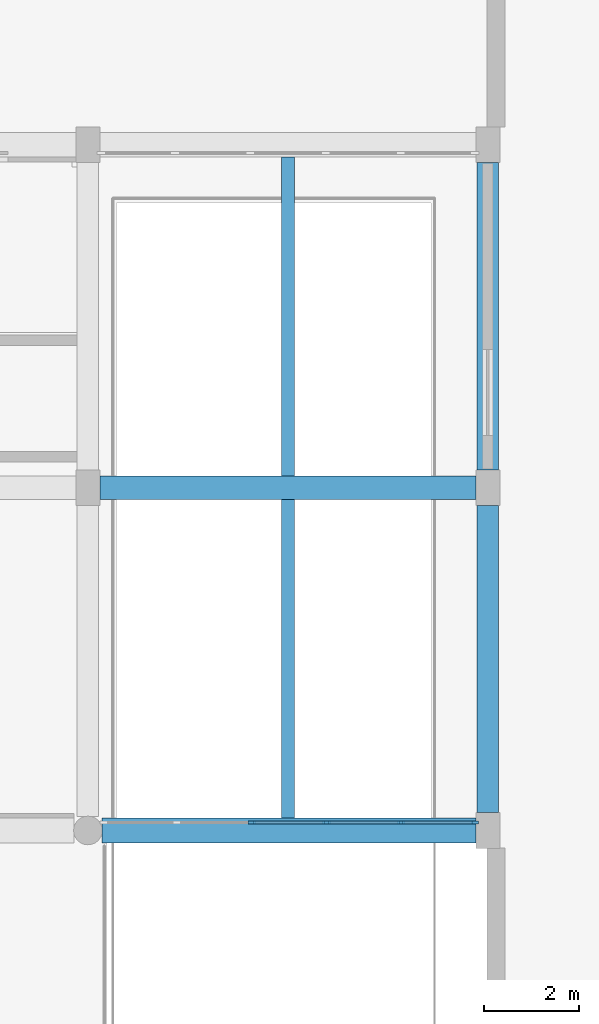
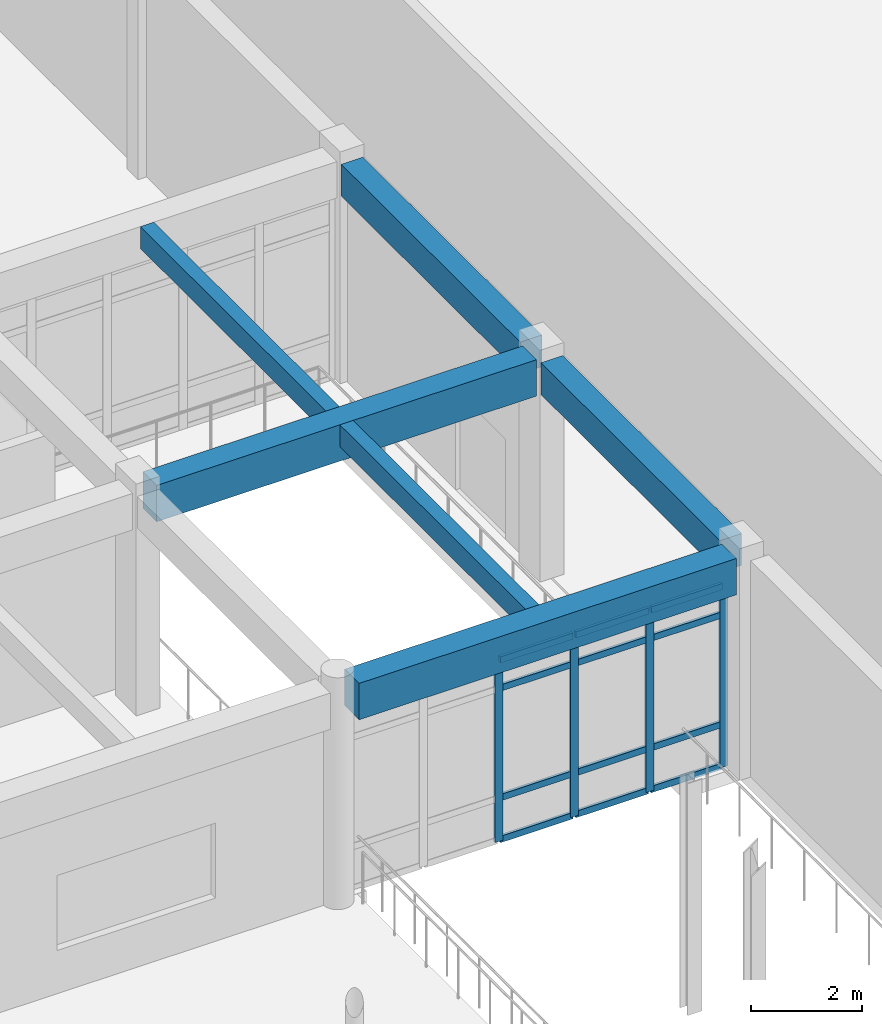
# One storey, part 60 of 121: 16 members, 6 beams, 1 element without a shape of its own.
"""IFC4 building model written with IfcOpenShell, lengths in metres."""

from ifc_helpers import new_model, si_unit, direction, frame, origin, origin_2d, place, context, subcontext, project, spatial, rectangle, extrude, material, material_profile, profile_set, type_object, element, aggregate, save


model = new_model("IFC4")

# Units and contexts
model_context = context("Model", 3, precision=1e-05, world=origin(), true_north=direction((0.0, 1.0)))
body_context = subcontext(model_context, "Body", "Model", "MODEL_VIEW")
ifc_project = project(units=[si_unit("LENGTHUNIT", "METRE"), si_unit("AREAUNIT", "SQUARE_METRE"), si_unit("VOLUMEUNIT", "CUBIC_METRE"), si_unit("PLANEANGLEUNIT", "RADIAN"), si_unit("MASSUNIT", "GRAM", prefix="KILO")], contexts=[model_context])

# Site, building, storey
site_placement = place(None, origin())
site = spatial("IfcSite", under=ifc_project, at=site_placement, CompositionType="ELEMENT")
building_placement = place(site_placement, origin())
building = spatial("IfcBuilding", under=site, at=building_placement, Name="Malvenik Polytechnic", CompositionType="ELEMENT")
storey_placement = place(building_placement, origin())
storey = spatial("IfcBuildingStorey", under=building, at=storey_placement, Name="L00", CompositionType="ELEMENT", Elevation=0.0)

# Curtain wall, members
ifc_material_1 = material(Name="Anodised aluminium 6060-T6", Category="aluminium")
curtain_wall_type = type_object("IfcCurtainWallType", Name="ARC-CW-CW-01", PredefinedType="NOTDEFINED", material=ifc_material_1)
curtain_wall_placement = place(storey_placement, origin())
curtain_wall = element("IfcCurtainWall", 1, at=curtain_wall_placement, inside=storey, type_object=curtain_wall_type, Name="Unitised Curtain Wall CW-01 L00 #14", PredefinedType="NOTDEFINED")
ifc_material_2 = material(Name="Anodised aluminium", Category="aluminium")
ifc_material_profile_1 = material_profile(ifc_material_2, rectangle(XDim=0.06005859375, YDim=0.159912109375, at=origin_2d()), Name="ALU MULLION 60x160")
ifc_profile_set_1 = profile_set([ifc_material_profile_1], Name="Anodised aluminium")
member_type_1 = type_object("IfcMemberType", Name="ARC-CWM-160", PredefinedType="MULLION", material=ifc_profile_set_1)
member_1_placement = place(storey_placement, frame((134.1220703125, 50.570068359375, 0.0), z_axis=(0.0, 0.0, 1.0), x_axis=(0.0, -1.0, 0.0)))
member_1 = element("IfcMember", 2, at=member_1_placement, type_object=member_type_1, Name="CW-01 mullion 1", PredefinedType="MULLION", context=body_context, shape_type="SweptSolid", body=[
    extrude(rectangle(XDim=0.06005859375, YDim=0.159912109375, at=origin_2d()), origin(), (0.0, 0.0, 1.0), 4.010009765625),
])
member_2_placement = place(storey_placement, frame((132.581298828125, 50.570068359375, 0.0), z_axis=(0.0, 0.0, 1.0), x_axis=(0.0, -1.0, 0.0)))
member_2 = element("IfcMember", 3, at=member_2_placement, type_object=member_type_1, Name="CW-01 mullion 2", PredefinedType="MULLION", context=body_context, shape_type="SweptSolid", body=[
    extrude(rectangle(XDim=0.06005859375, YDim=0.159912109375, at=origin_2d()), origin(), (0.0, 0.0, 1.0), 4.010009765625),
])
member_3_placement = place(storey_placement, frame((131.010498046875, 50.570068359375, 0.0), z_axis=(0.0, 0.0, 1.0), x_axis=(0.0, -1.0, 0.0)))
member_3 = element("IfcMember", 4, at=member_3_placement, type_object=member_type_1, Name="CW-01 mullion 3", PredefinedType="MULLION", context=body_context, shape_type="SweptSolid", body=[
    extrude(rectangle(XDim=0.06005859375, YDim=0.159912109375, at=origin_2d()), origin(), (0.0, 0.0, 1.0), 4.010009765625),
])
member_4_placement = place(storey_placement, frame((129.439697265625, 50.570068359375, 0.0), z_axis=(0.0, 0.0, 1.0), x_axis=(0.0, -1.0, 0.0)))
member_4 = element("IfcMember", 5, at=member_4_placement, type_object=member_type_1, Name="CW-01 mullion 4", PredefinedType="MULLION", context=body_context, shape_type="SweptSolid", body=[
    extrude(rectangle(XDim=0.06005859375, YDim=0.159912109375, at=origin_2d()), origin(), (0.0, 0.0, 1.0), 4.010009765625),
])
ifc_material_profile_2 = material_profile(ifc_material_2, rectangle(XDim=0.06005859375, YDim=0.139892578125, at=origin_2d()), Name="ALU TRANSOM 60x140")
ifc_profile_set_2 = profile_set([ifc_material_profile_2], Name="Anodised aluminium")
member_type_2 = type_object("IfcMemberType", Name="ARC-CWT-140", PredefinedType="USERDEFINED", material=ifc_profile_set_2)
member_5_placement = place(storey_placement, frame((134.092041015625, 50.570068359375, 0.030029296875), z_axis=(-1.0, 0.0, 0.0), x_axis=(0.0, -1.0, 0.0)))
member_5 = element("IfcMember", 6, at=member_5_placement, type_object=member_type_2, Name="CW-01 transom 1.1", ObjectType="TRANSOM", PredefinedType="USERDEFINED", context=body_context, shape_type="SweptSolid", body=[
    extrude(rectangle(XDim=0.06005859375, YDim=0.139892578125, at=origin_2d()), origin(), (0.0, 0.0, 1.0), 1.48095703125),
])
member_6_placement = place(storey_placement, frame((134.092041015625, 50.570068359375, 0.949951171875), z_axis=(-1.0, 0.0, 0.0), x_axis=(0.0, -1.0, 0.0)))
member_6 = element("IfcMember", 7, at=member_6_placement, type_object=member_type_2, Name="CW-01 transom 1.2", ObjectType="TRANSOM", PredefinedType="USERDEFINED", context=body_context, shape_type="SweptSolid", body=[
    extrude(rectangle(XDim=0.06005859375, YDim=0.139892578125, at=origin_2d()), origin(), (0.0, 0.0, 1.0), 1.48095703125),
])
member_7_placement = place(storey_placement, frame((134.092041015625, 50.570068359375, 3.360107421875), z_axis=(-1.0, 0.0, 0.0), x_axis=(0.0, -1.0, 0.0)))
member_7 = element("IfcMember", 8, at=member_7_placement, type_object=member_type_2, Name="CW-01 transom 1.3", ObjectType="TRANSOM", PredefinedType="USERDEFINED", context=body_context, shape_type="SweptSolid", body=[
    extrude(rectangle(XDim=0.06005859375, YDim=0.139892578125, at=origin_2d()), origin(), (0.0, 0.0, 1.0), 1.48095703125),
])
member_8_placement = place(storey_placement, frame((134.092041015625, 50.570068359375, 3.97998046875), z_axis=(-1.0, 0.0, 0.0), x_axis=(0.0, -1.0, 0.0)))
member_8 = element("IfcMember", 9, at=member_8_placement, type_object=member_type_2, Name="CW-01 transom 1.4", ObjectType="TRANSOM", PredefinedType="USERDEFINED", context=body_context, shape_type="SweptSolid", body=[
    extrude(rectangle(XDim=0.06005859375, YDim=0.139892578125, at=origin_2d()), origin(), (0.0, 0.0, 1.0), 1.48095703125),
])
member_9_placement = place(storey_placement, frame((132.55126953125, 50.570068359375, 0.030029296875), z_axis=(-1.0, 0.0, 0.0), x_axis=(0.0, -1.0, 0.0)))
member_9 = element("IfcMember", 10, at=member_9_placement, type_object=member_type_2, Name="CW-01 transom 2.1", ObjectType="TRANSOM", PredefinedType="USERDEFINED", context=body_context, shape_type="SweptSolid", body=[
    extrude(rectangle(XDim=0.06005859375, YDim=0.139892578125, at=origin_2d()), origin(), (0.0, 0.0, 1.0), 1.510986328125),
])
member_10_placement = place(storey_placement, frame((132.55126953125, 50.570068359375, 0.949951171875), z_axis=(-1.0, 0.0, 0.0), x_axis=(0.0, -1.0, 0.0)))
member_10 = element("IfcMember", 11, at=member_10_placement, type_object=member_type_2, Name="CW-01 transom 2.2", ObjectType="TRANSOM", PredefinedType="USERDEFINED", context=body_context, shape_type="SweptSolid", body=[
    extrude(rectangle(XDim=0.06005859375, YDim=0.139892578125, at=origin_2d()), origin(), (0.0, 0.0, 1.0), 1.510986328125),
])
member_11_placement = place(storey_placement, frame((132.55126953125, 50.570068359375, 3.360107421875), z_axis=(-1.0, 0.0, 0.0), x_axis=(0.0, -1.0, 0.0)))
member_11 = element("IfcMember", 12, at=member_11_placement, type_object=member_type_2, Name="CW-01 transom 2.3", ObjectType="TRANSOM", PredefinedType="USERDEFINED", context=body_context, shape_type="SweptSolid", body=[
    extrude(rectangle(XDim=0.06005859375, YDim=0.139892578125, at=origin_2d()), origin(), (0.0, 0.0, 1.0), 1.510986328125),
])
member_12_placement = place(storey_placement, frame((132.55126953125, 50.570068359375, 3.97998046875), z_axis=(-1.0, 0.0, 0.0), x_axis=(0.0, -1.0, 0.0)))
member_12 = element("IfcMember", 13, at=member_12_placement, type_object=member_type_2, Name="CW-01 transom 2.4", ObjectType="TRANSOM", PredefinedType="USERDEFINED", context=body_context, shape_type="SweptSolid", body=[
    extrude(rectangle(XDim=0.06005859375, YDim=0.139892578125, at=origin_2d()), origin(), (0.0, 0.0, 1.0), 1.510986328125),
])
member_13_placement = place(storey_placement, frame((130.98046875, 50.570068359375, 0.030029296875), z_axis=(-1.0, 0.0, 0.0), x_axis=(0.0, -1.0, 0.0)))
member_13 = element("IfcMember", 14, at=member_13_placement, type_object=member_type_2, Name="CW-01 transom 3.1", ObjectType="TRANSOM", PredefinedType="USERDEFINED", context=body_context, shape_type="SweptSolid", body=[
    extrude(rectangle(XDim=0.06005859375, YDim=0.139892578125, at=origin_2d()), origin(), (0.0, 0.0, 1.0), 1.510986328125),
])
member_14_placement = place(storey_placement, frame((130.98046875, 50.570068359375, 0.949951171875), z_axis=(-1.0, 0.0, 0.0), x_axis=(0.0, -1.0, 0.0)))
member_14 = element("IfcMember", 15, at=member_14_placement, type_object=member_type_2, Name="CW-01 transom 3.2", ObjectType="TRANSOM", PredefinedType="USERDEFINED", context=body_context, shape_type="SweptSolid", body=[
    extrude(rectangle(XDim=0.06005859375, YDim=0.139892578125, at=origin_2d()), origin(), (0.0, 0.0, 1.0), 1.510986328125),
])
member_15_placement = place(storey_placement, frame((130.98046875, 50.570068359375, 3.360107421875), z_axis=(-1.0, 0.0, 0.0), x_axis=(0.0, -1.0, 0.0)))
member_15 = element("IfcMember", 16, at=member_15_placement, type_object=member_type_2, Name="CW-01 transom 3.3", ObjectType="TRANSOM", PredefinedType="USERDEFINED", context=body_context, shape_type="SweptSolid", body=[
    extrude(rectangle(XDim=0.06005859375, YDim=0.139892578125, at=origin_2d()), origin(), (0.0, 0.0, 1.0), 1.510986328125),
])
member_16_placement = place(storey_placement, frame((130.98046875, 50.570068359375, 3.97998046875), z_axis=(-1.0, 0.0, 0.0), x_axis=(0.0, -1.0, 0.0)))
member_16 = element("IfcMember", 17, at=member_16_placement, type_object=member_type_2, Name="CW-01 transom 3.4", ObjectType="TRANSOM", PredefinedType="USERDEFINED", context=body_context, shape_type="SweptSolid", body=[
    extrude(rectangle(XDim=0.06005859375, YDim=0.139892578125, at=origin_2d()), origin(), (0.0, 0.0, 1.0), 1.510986328125),
])
aggregate(curtain_wall, [member_1, member_2, member_3, member_4, member_5, member_6, member_7, member_8, member_9, member_10, member_11, member_12, member_13, member_14, member_15, member_16])

# Beams
ifc_material_3 = material(Name="Concrete C35/45", Category="concrete")
ifc_material_profile_3 = material_profile(ifc_material_3, rectangle(XDim=0.5, YDim=0.800048828125, at=origin_2d()), Name="RC BM 500x800")
ifc_profile_set_3 = profile_set([ifc_material_profile_3], Name="Concrete C35/45")
beam_type_1 = type_object("IfcBeamType", Name="STR-BM-B-02", PredefinedType="BEAM", material=ifc_profile_set_3)
beam_1_placement = place(storey_placement, frame((126.248046875, 57.60009765625, 4.419921875), z_axis=(1.0, 0.0, 0.0), x_axis=(0.0, 1.0, 0.0)))
element("IfcBeam", 18, at=beam_1_placement, inside=storey, type_object=beam_type_1, Name="Primary Beam B-02 L00 #595", PredefinedType="BEAM", context=body_context, shape_type="SweptSolid", body=[
    extrude(rectangle(XDim=0.5, YDim=0.800048828125, at=origin_2d()), origin(), (0.0, 0.0, 1.0), 7.904052734375),
])
ifc_material_profile_4 = material_profile(ifc_material_3, rectangle(XDim=0.449951171875, YDim=0.699951171875, at=origin_2d()), Name="RC BM 450x700")
ifc_profile_set_4 = profile_set([ifc_material_profile_4], Name="Concrete C35/45")
beam_type_2 = type_object("IfcBeamType", Name="STR-BM-B-04", PredefinedType="BEAM", material=ifc_profile_set_4)
for number, where, z_axis, x_axis, name in (
    (19, (134.39990234375, 50.77294921875, 4.469970703125), (0.0, 1.0, 0.0), (-1.0, 0.0, 0.0), "Transverse Beam B-04 L00 #841"),
    (20, (134.39990234375, 57.972900390625, 4.469970703125), (0.0, 1.0, 0.0), (-1.0, 0.0, 0.0), "Transverse Beam B-04 L00 #842"),
):
    element("IfcBeam", number, at=place(storey_placement, frame(where, z_axis=z_axis, x_axis=x_axis)), inside=storey, type_object=beam_type_2, Name=name, PredefinedType="BEAM", context=body_context, shape_type="SweptSolid", body=[
        extrude(rectangle(XDim=0.449951171875, YDim=0.699951171875, at=origin_2d()), origin(), (0.0, 0.0, 1.0), 6.4541015625),
    ])
ifc_material_4 = material(Name="Concrete C30/37", Category="concrete")
ifc_material_profile_5 = material_profile(ifc_material_4, rectangle(XDim=0.280029296875, YDim=0.47998046875, at=origin_2d()), Name="RC JST 280x480")
ifc_profile_set_5 = profile_set([ifc_material_profile_5], Name="Concrete C30/37")
beam_type_3 = type_object("IfcBeamType", Name="STR-BM-J-01", PredefinedType="JOIST", material=ifc_profile_set_5)
for number, where, z_axis, x_axis, name in (
    (21, (130.199951171875, 50.657958984375, 4.580078125), (0.0, 1.0, 0.0), (-1.0, 0.0, 0.0), "Secondary Rib Joist J-01 L00 #938"),
    (22, (130.199951171875, 57.847900390625, 4.580078125), (0.0, 1.0, 0.0), (-1.0, 0.0, 0.0), "Secondary Rib Joist J-01 L00 #939"),
):
    element("IfcBeam", number, at=place(storey_placement, frame(where, z_axis=z_axis, x_axis=x_axis)), inside=storey, type_object=beam_type_3, Name=name, PredefinedType="JOIST", context=body_context, shape_type="SweptSolid", body=[
        extrude(rectangle(XDim=0.280029296875, YDim=0.47998046875, at=origin_2d()), origin(), (0.0, 0.0, 1.0), 6.694091796875),
    ])
ifc_material_5 = material(Name="Precast concrete C40/50", Category="concrete")
ifc_material_profile_6 = material_profile(ifc_material_5, rectangle(XDim=0.52001953125, YDim=0.800048828125, at=origin_2d()), Name="PC SPN 520x800")
ifc_profile_set_6 = profile_set([ifc_material_profile_6], Name="Precast concrete C40/50")
beam_type_4 = type_object("IfcBeamType", Name="STR-BM-SP-01", PredefinedType="SPANDREL", material=ifc_profile_set_6)
beam_2_placement = place(storey_placement, frame((126.298095703125, 50.39990234375, 4.419921875), z_axis=(1.0, 0.0, 0.0), x_axis=(0.0, 1.0, 0.0)))
element("IfcBeam", 23, at=beam_2_placement, inside=storey, type_object=beam_type_4, Name="Primary Beam SP-01 L00 #584", PredefinedType="SPANDREL", context=body_context, shape_type="SweptSolid", body=[
    extrude(rectangle(XDim=0.52001953125, YDim=0.800048828125, at=origin_2d()), origin(), (0.0, 0.0, 1.0), 7.85400390625),
])

save(model, "model.ifc")
